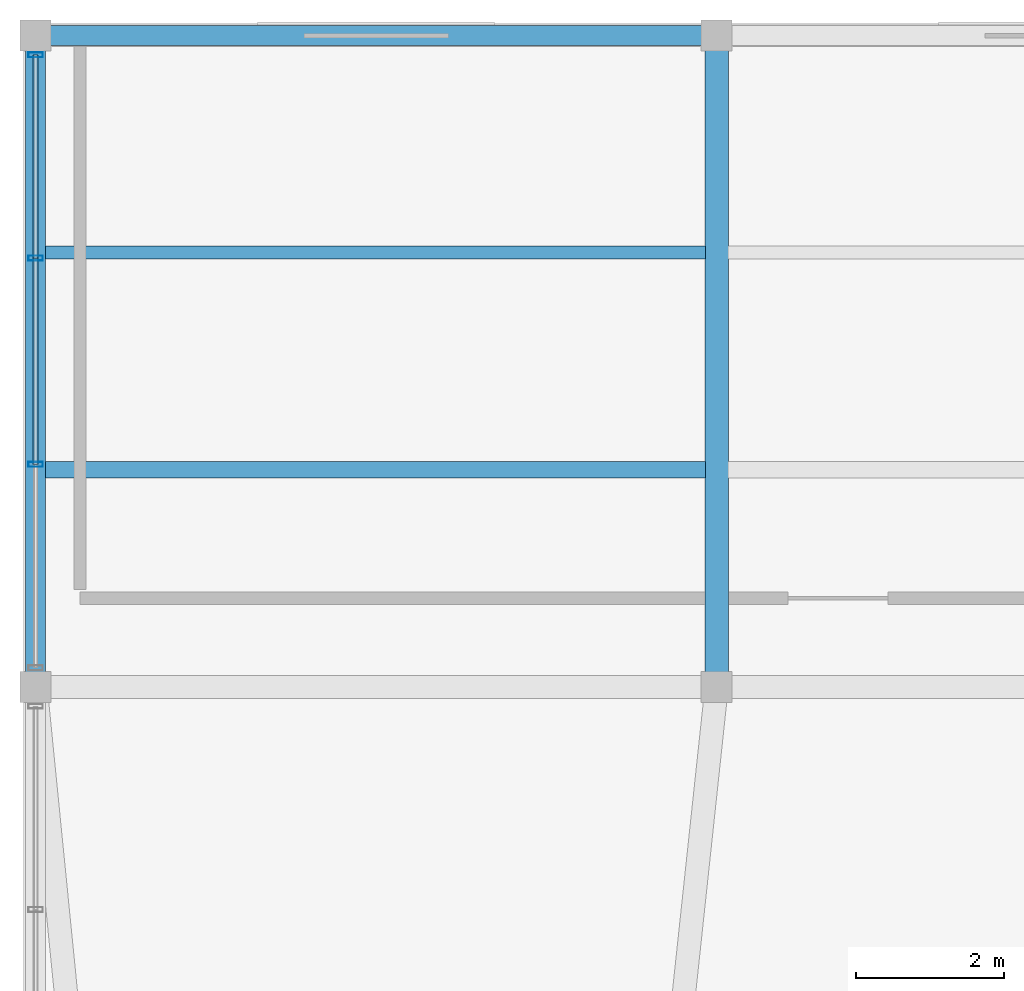
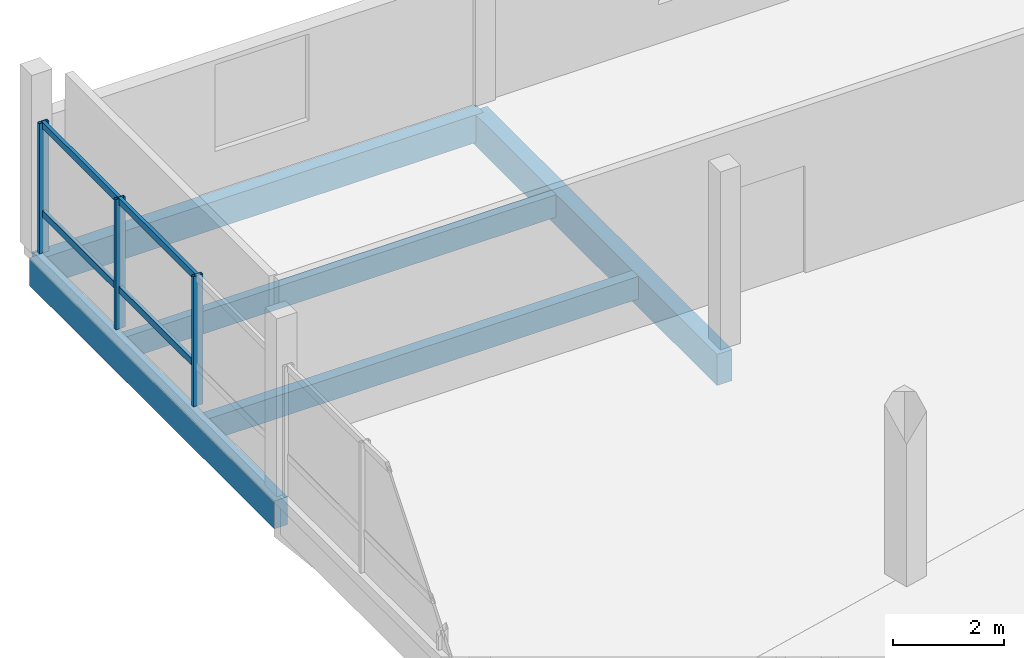
# One storey, part 32 of 47: 7 members, 5 beams, 1 element without a shape of its own.
"""IFC4 building model written with IfcOpenShell, lengths in metres."""

from ifc_helpers import new_model, si_unit, direction, frame, origin, origin_2d, place, context, subcontext, project, spatial, rectangle, hollow_rectangle, extrude, material, layer, layer_set, material_profile, profile_set, type_object, element, aggregate, save


model = new_model("IFC4")

# Units and contexts
model_context = context("Model", 3, precision=1e-05, world=origin(), true_north=direction((0.0, 1.0)))
body_context = subcontext(model_context, "Body", "Model", "MODEL_VIEW")
ifc_project = project(units=[si_unit("LENGTHUNIT", "METRE"), si_unit("AREAUNIT", "SQUARE_METRE"), si_unit("VOLUMEUNIT", "CUBIC_METRE"), si_unit("PLANEANGLEUNIT", "RADIAN"), si_unit("MASSUNIT", "GRAM", prefix="KILO")], contexts=[model_context])

# Site, building, storey
site_placement = place(None, origin())
site = spatial("IfcSite", under=ifc_project, at=site_placement, CompositionType="ELEMENT")
building_placement = place(site_placement, origin())
building = spatial("IfcBuilding", under=site, at=building_placement, Name="Meriwether Solvik Hall", CompositionType="ELEMENT")
storey_placement = place(building_placement, frame((0.0, 0.0, 18.300048828125)))
storey = spatial("IfcBuildingStorey", under=building, at=storey_placement, Name="L04", CompositionType="ELEMENT", Elevation=18.300048828125)

# Beams
ifc_material_1 = material(Name="Glulam Douglas-Fir 24F-V8 GL28h", Category="wood")
ifc_material_profile_1 = material_profile(ifc_material_1, rectangle(XDim=0.27294921875, YDim=0.610107421875, at=origin_2d()), Name="GLB-273X610")
ifc_profile_set_1 = profile_set([ifc_material_profile_1], Name="Glulam Douglas-Fir 24F-V8 GL28h")
beam_type_1 = type_object("IfcBeamType", Name="BM-GL-273X610", PredefinedType="SPANDREL", material=ifc_profile_set_1)
beam_1_placement = place(storey_placement, frame((59.39990234375, 92.800048828125, -0.550048828125), z_axis=(1.0, 0.0, 0.0), x_axis=(0.0, 1.0, 0.0)))
element("IfcBeam", 1, at=beam_1_placement, inside=storey, type_object=beam_type_1, Name="Podium Girder K:7-8 (L04)", PredefinedType="SPANDREL", context=body_context, shape_type="SweptSolid", body=[
    extrude(rectangle(XDim=0.27294921875, YDim=0.610107421875, at=origin_2d()), origin(), (0.0, 0.0, 1.0), 9.2001953125),
])
beam_2_placement = place(storey_placement, frame((59.39990234375, 84.0, -0.550048828125), z_axis=(0.0, 1.0, 0.0), x_axis=(-1.0, 0.0, 0.0)))
element("IfcBeam", 2, at=beam_2_placement, inside=storey, type_object=beam_type_1, Name="Podium Girder 7:J-K (L04)", PredefinedType="SPANDREL", context=body_context, shape_type="SweptSolid", body=[
    extrude(rectangle(XDim=0.27294921875, YDim=0.610107421875, at=origin_2d()), origin(), (0.0, 0.0, 1.0), 8.800048828125),
])
ifc_material_2 = material(Name="Glulam Douglas-Fir 24F-V8 GL28h", Category="wood")
ifc_material_profile_2 = material_profile(ifc_material_2, rectangle(XDim=0.31494140625, YDim=0.68505859375, at=origin_2d()), Name="GLB-315X685")
ifc_profile_set_2 = profile_set([ifc_material_profile_2], Name="Glulam Douglas-Fir 24F-V8 GL28h")
beam_type_2 = type_object("IfcBeamType", Name="BM-GL-315X685", PredefinedType="BEAM", material=ifc_profile_set_2)
beam_3_placement = place(storey_placement, frame((68.60009765625, 84.0, -0.587646484375), z_axis=(0.0, 1.0, 0.0), x_axis=(-1.0, 0.0, 0.0)))
element("IfcBeam", 3, at=beam_3_placement, inside=storey, type_object=beam_type_2, Name="Podium Girder 8:J-K (L04)", PredefinedType="BEAM", context=body_context, shape_type="SweptSolid", body=[
    extrude(rectangle(XDim=0.31494140625, YDim=0.68505859375, at=origin_2d()), origin(), (0.0, 0.0, 1.0), 8.800048828125),
])

# Curtain wall, members
ifc_material_3 = material(Name="Thermally Broken Anodised Aluminium 6063-T6 and Low-E Glass", Category="aluminium")
ifc_layer = layer(ifc_material_3, 0.179931640625)
ifc_layer_set = layer_set([ifc_layer], Name="Thermally Broken Anodised Aluminium 6063-T6 and Low-E Glass")
curtain_wall_type = type_object("IfcCurtainWallType", Name="CW-UNIT-E", PredefinedType="USERDEFINED", material=ifc_layer_set)
curtain_wall_placement = place(storey_placement, origin())
curtain_wall = element("IfcCurtainWall", 4, at=curtain_wall_placement, inside=storey, type_object=curtain_wall_type, Name="Curtain Wall wing_Y7_10_21 (L04)", ObjectType="UNITISED CURTAIN WALL", PredefinedType="USERDEFINED")
ifc_material_4 = material(Name="Anodised Aluminium 6063-T6", Category="aluminium")
ifc_material_profile_3 = material_profile(ifc_material_4, hollow_rectangle(XDim=0.070068359375, YDim=0.199951171875, WallThickness=0.0048828125, at=origin_2d()), Name="CWM-70X200")
ifc_profile_set_3 = profile_set([ifc_material_profile_3], Name="Anodised Aluminium 6063-T6")
member_type_1 = type_object("IfcMemberType", Name="CW-MUL-70X200", PredefinedType="MULLION", material=ifc_profile_set_3)
member_1_placement = place(storey_placement, frame((59.39990234375, 87.00732421875, 0.0), z_axis=(0.0, 0.0, 1.0), x_axis=(0.0, 1.0, 0.0)))
member_1 = element("IfcMember", 5, at=member_1_placement, type_object=member_type_1, Name="Curtain Wall Mullion 2", PredefinedType="MULLION", context=body_context, shape_type="SweptSolid", body=[
    extrude(hollow_rectangle(XDim=0.070068359375, YDim=0.199951171875, WallThickness=0.0048828125, at=origin_2d()), origin(), (0.0, 0.0, 1.0), 2.85498046875),
])
member_2_placement = place(storey_placement, frame((59.39990234375, 89.792724609375, 0.0), z_axis=(0.0, 0.0, 1.0), x_axis=(0.0, 1.0, 0.0)))
member_2 = element("IfcMember", 6, at=member_2_placement, type_object=member_type_1, Name="Curtain Wall Mullion 3", PredefinedType="MULLION", context=body_context, shape_type="SweptSolid", body=[
    extrude(hollow_rectangle(XDim=0.070068359375, YDim=0.199951171875, WallThickness=0.0048828125, at=origin_2d()), origin(), (0.0, 0.0, 1.0), 2.85498046875),
])
member_3_placement = place(storey_placement, frame((59.39990234375, 92.5400390625, 0.0), z_axis=(0.0, 0.0, 1.0), x_axis=(0.0, 1.0, 0.0)))
member_3 = element("IfcMember", 7, at=member_3_placement, type_object=member_type_1, Name="Curtain Wall Mullion 4", PredefinedType="MULLION", context=body_context, shape_type="SweptSolid", body=[
    extrude(hollow_rectangle(XDim=0.070068359375, YDim=0.199951171875, WallThickness=0.0048828125, at=origin_2d()), origin(), (0.0, 0.0, 1.0), 2.85498046875),
])
ifc_material_5 = material(Name="Anodised Aluminium 6063-T6", Category="aluminium")
ifc_material_profile_4 = material_profile(ifc_material_5, hollow_rectangle(XDim=0.070068359375, YDim=0.14990234375, WallThickness=0.0048828125, at=origin_2d()), Name="CWT-70X150")
ifc_profile_set_4 = profile_set([ifc_material_profile_4], Name="Anodised Aluminium 6063-T6")
member_type_2 = type_object("IfcMemberType", Name="CW-TRN-70X150", PredefinedType="USERDEFINED", material=ifc_profile_set_4)
member_4_placement = place(storey_placement, frame((59.39990234375, 87.00732421875, 0.8564453125), z_axis=(0.0, 1.0, 0.0), x_axis=(-1.0, 0.0, 0.0)))
member_4 = element("IfcMember", 8, at=member_4_placement, type_object=member_type_2, Name="Curtain Wall Transom 2-sill", ObjectType="TRANSOM", PredefinedType="USERDEFINED", context=body_context, shape_type="SweptSolid", body=[
    extrude(hollow_rectangle(XDim=0.070068359375, YDim=0.14990234375, WallThickness=0.0048828125, at=origin_2d()), origin(), (0.0, 0.0, 1.0), 2.785400390625),
])
member_5_placement = place(storey_placement, frame((59.39990234375, 87.00732421875, 2.794921875), z_axis=(0.0, 1.0, 0.0), x_axis=(-1.0, 0.0, 0.0)))
member_5 = element("IfcMember", 9, at=member_5_placement, type_object=member_type_2, Name="Curtain Wall Transom 2-head", ObjectType="TRANSOM", PredefinedType="USERDEFINED", context=body_context, shape_type="SweptSolid", body=[
    extrude(hollow_rectangle(XDim=0.070068359375, YDim=0.14990234375, WallThickness=0.0048828125, at=origin_2d()), origin(), (0.0, 0.0, 1.0), 2.785400390625),
])
member_6_placement = place(storey_placement, frame((59.39990234375, 89.792724609375, 0.8564453125), z_axis=(0.0, 1.0, 0.0), x_axis=(-1.0, 0.0, 0.0)))
member_6 = element("IfcMember", 10, at=member_6_placement, type_object=member_type_2, Name="Curtain Wall Transom 3-sill", ObjectType="TRANSOM", PredefinedType="USERDEFINED", context=body_context, shape_type="SweptSolid", body=[
    extrude(hollow_rectangle(XDim=0.070068359375, YDim=0.14990234375, WallThickness=0.0048828125, at=origin_2d()), origin(), (0.0, 0.0, 1.0), 2.747314453125),
])
member_7_placement = place(storey_placement, frame((59.39990234375, 89.792724609375, 2.794921875), z_axis=(0.0, 1.0, 0.0), x_axis=(-1.0, 0.0, 0.0)))
member_7 = element("IfcMember", 11, at=member_7_placement, type_object=member_type_2, Name="Curtain Wall Transom 3-head", ObjectType="TRANSOM", PredefinedType="USERDEFINED", context=body_context, shape_type="SweptSolid", body=[
    extrude(hollow_rectangle(XDim=0.070068359375, YDim=0.14990234375, WallThickness=0.0048828125, at=origin_2d()), origin(), (0.0, 0.0, 1.0), 2.747314453125),
])
aggregate(curtain_wall, [member_1, member_2, member_3, member_4, member_5, member_6, member_7])

# Beams
ifc_material_6 = material(Name="Glulam Douglas-Fir 24F-V8 GL28h", Category="wood")
ifc_material_profile_5 = material_profile(ifc_material_6, rectangle(XDim=0.175048828125, YDim=0.4951171875, at=origin_2d()), Name="GLJ-175X495")
ifc_profile_set_5 = profile_set([ifc_material_profile_5], Name="Glulam Douglas-Fir 24F-V8 GL28h")
beam_type_3 = type_object("IfcBeamType", Name="JST-GL-175X495", PredefinedType="JOIST", material=ifc_profile_set_5)
beam_4_placement = place(storey_placement, frame((59.531494140625, 89.86669921875, -0.492431640625), z_axis=(1.0, 0.0, 0.0), x_axis=(0.0, 1.0, 0.0)))
element("IfcBeam", 12, at=beam_4_placement, inside=storey, type_object=beam_type_3, Name="Secondary Floor Joist 7/J_J2 (L04)", PredefinedType="JOIST", context=body_context, shape_type="SweptSolid", body=[
    extrude(rectangle(XDim=0.175048828125, YDim=0.4951171875, at=origin_2d()), origin(), (0.0, 0.0, 1.0), 8.916015625),
])
ifc_material_7 = material(Name="Glulam Douglas-Fir 24F-V8 GL28h", Category="wood")
ifc_material_profile_6 = material_profile(ifc_material_7, rectangle(XDim=0.221923828125, YDim=0.4951171875, at=origin_2d()), Name="GLJ-222X495")
ifc_profile_set_6 = profile_set([ifc_material_profile_6], Name="Glulam Douglas-Fir 24F-V8 GL28h")
beam_type_4 = type_object("IfcBeamType", Name="JST-GL-222X495", PredefinedType="JOIST", material=ifc_profile_set_6)
beam_5_placement = place(storey_placement, frame((59.531494140625, 86.933349609375, -0.492431640625), z_axis=(1.0, 0.0, 0.0), x_axis=(0.0, 1.0, 0.0)))
element("IfcBeam", 13, at=beam_5_placement, inside=storey, type_object=beam_type_4, Name="Secondary Floor Joist 7/J_J1 (L04)", PredefinedType="JOIST", context=body_context, shape_type="SweptSolid", body=[
    extrude(rectangle(XDim=0.221923828125, YDim=0.4951171875, at=origin_2d()), origin(), (0.0, 0.0, 1.0), 8.916015625),
])

save(model, "model.ifc")
